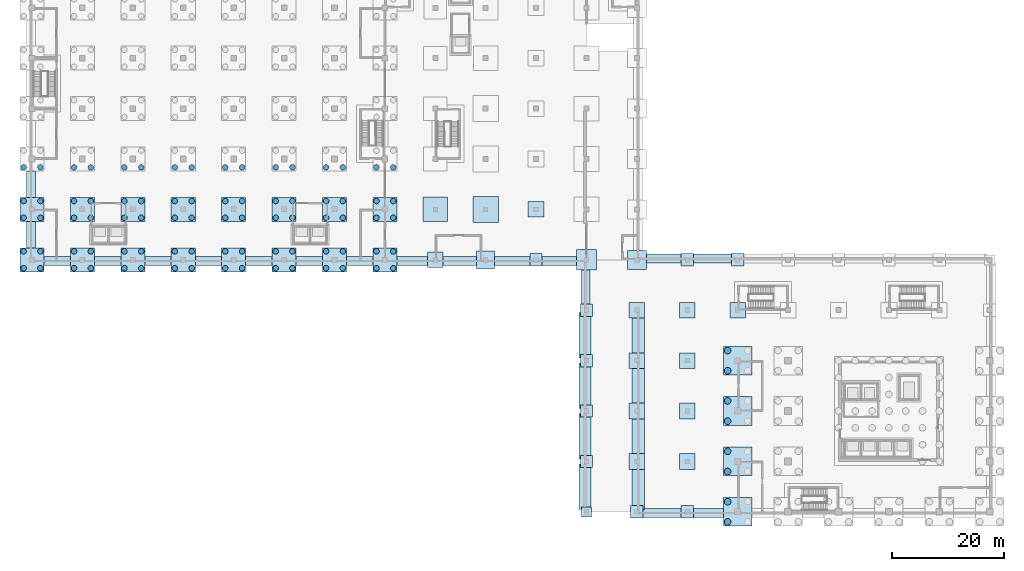
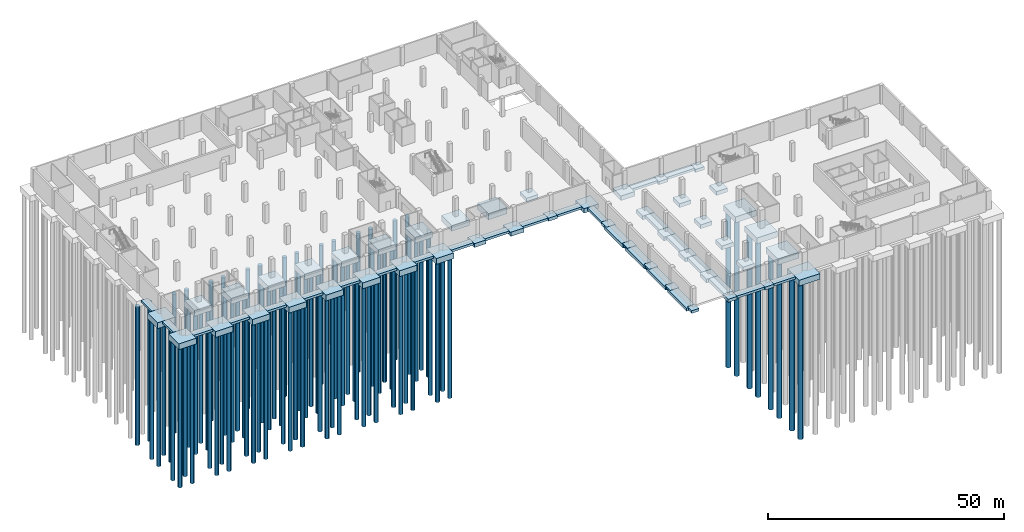
# One storey, part 1 of 17: 88 piles, 72 footings.
"""IFC4 building model written with IfcOpenShell, lengths in metres."""

from ifc_helpers import new_model, si_unit, direction, frame, origin, origin_2d, place, context, subcontext, project, spatial, polyline, rectangle, circle, outline, extrude, material, material_profile, profile_set, type_object, element, save


model = new_model("IFC4")

# Units and contexts
model_context = context("Model", 3, precision=1e-05, world=origin(), true_north=direction((0.0, 1.0)))
body_context = subcontext(model_context, "Body", "Model", "MODEL_VIEW")
ifc_project = project(units=[si_unit("LENGTHUNIT", "METRE"), si_unit("AREAUNIT", "SQUARE_METRE"), si_unit("VOLUMEUNIT", "CUBIC_METRE"), si_unit("PLANEANGLEUNIT", "RADIAN"), si_unit("MASSUNIT", "GRAM", prefix="KILO")], contexts=[model_context])

# Site, building, storey
site_placement = place(None, origin())
site = spatial("IfcSite", under=ifc_project, at=site_placement, CompositionType="ELEMENT")
building_placement = place(site_placement, origin())
building = spatial("IfcBuilding", under=site, at=building_placement, Name="Guidao Yard Department Store", CompositionType="ELEMENT")
storey_placement = place(building_placement, frame((0.0, 0.0, -9.89990234375)))
storey = spatial("IfcBuildingStorey", under=building, at=storey_placement, Name="B2", CompositionType="ELEMENT", Elevation=-9.89990234375)

# Piles
ifc_material_1 = material(Name="Concrete C40", Category="concrete")
ifc_material_profile_1 = material_profile(ifc_material_1, circle(Radius=0.5, at=origin_2d()), Name="Bored pile D1000")
ifc_profile_set_1 = profile_set([ifc_material_profile_1], Name="Concrete C40")
pile_type_1 = type_object("IfcPileType", Name="Bored pile D1000", PredefinedType="BORED", material=ifc_profile_set_1)
for number, where, z_axis, x_axis, name in (
    (1, (-1.5, 43.5, -2.0), (0.0, 0.0, -1.0), (1.0, 0.0, 0.0), "Bored pile 1/F-1"),
    (2, (1.5, 43.5, -2.0), (0.0, 0.0, -1.0), (1.0, 0.0, 0.0), "Bored pile 1/F-2"),
    (3, (-1.5, 46.5, -2.0), (0.0, 0.0, -1.0), (1.0, 0.0, 0.0), "Bored pile 1/F-3"),
    (4, (1.5, 46.5, -2.0), (0.0, 0.0, -1.0), (1.0, 0.0, 0.0), "Bored pile 1/F-4"),
    (5, (7.5, 43.5, -2.0), (0.0, 0.0, -1.0), (1.0, 0.0, 0.0), "Bored pile 2/F-1"),
    (6, (10.5, 43.5, -2.0), (0.0, 0.0, -1.0), (1.0, 0.0, 0.0), "Bored pile 2/F-2"),
    (7, (7.5, 46.5, -2.0), (0.0, 0.0, -1.0), (1.0, 0.0, 0.0), "Bored pile 2/F-3"),
    (8, (10.5, 46.5, -2.0), (0.0, 0.0, -1.0), (1.0, 0.0, 0.0), "Bored pile 2/F-4"),
    (9, (16.5, 43.5, -2.0), (0.0, 0.0, -1.0), (1.0, 0.0, 0.0), "Bored pile 3/F-1"),
    (10, (19.5, 43.5, -2.0), (0.0, 0.0, -1.0), (1.0, 0.0, 0.0), "Bored pile 3/F-2"),
    (11, (16.5, 46.5, -2.0), (0.0, 0.0, -1.0), (1.0, 0.0, 0.0), "Bored pile 3/F-3"),
    (12, (19.5, 46.5, -2.0), (0.0, 0.0, -1.0), (1.0, 0.0, 0.0), "Bored pile 3/F-4"),
    (13, (25.5, 43.5, -2.0), (0.0, 0.0, -1.0), (1.0, 0.0, 0.0), "Bored pile 4/F-1"),
    (14, (28.5, 43.5, -2.0), (0.0, 0.0, -1.0), (1.0, 0.0, 0.0), "Bored pile 4/F-2"),
    (15, (25.5, 46.5, -2.0), (0.0, 0.0, -1.0), (1.0, 0.0, 0.0), "Bored pile 4/F-3"),
    (16, (28.5, 46.5, -2.0), (0.0, 0.0, -1.0), (1.0, 0.0, 0.0), "Bored pile 4/F-4"),
    (17, (34.5, 43.5, -2.0), (0.0, 0.0, -1.0), (1.0, 0.0, 0.0), "Bored pile 5/F-1"),
    (18, (37.5, 43.5, -2.0), (0.0, 0.0, -1.0), (1.0, 0.0, 0.0), "Bored pile 5/F-2"),
    (19, (34.5, 46.5, -2.0), (0.0, 0.0, -1.0), (1.0, 0.0, 0.0), "Bored pile 5/F-3"),
    (20, (37.5, 46.5, -2.0), (0.0, 0.0, -1.0), (1.0, 0.0, 0.0), "Bored pile 5/F-4"),
    (21, (43.5, 43.5, -2.0), (0.0, 0.0, -1.0), (1.0, 0.0, 0.0), "Bored pile 6/F-1"),
    (22, (46.5, 43.5, -2.0), (0.0, 0.0, -1.0), (1.0, 0.0, 0.0), "Bored pile 6/F-2"),
    (23, (43.5, 46.5, -2.0), (0.0, 0.0, -1.0), (1.0, 0.0, 0.0), "Bored pile 6/F-3"),
    (24, (46.5, 46.5, -2.0), (0.0, 0.0, -1.0), (1.0, 0.0, 0.0), "Bored pile 6/F-4"),
    (25, (52.5, 43.5, -2.0), (0.0, 0.0, -1.0), (1.0, 0.0, 0.0), "Bored pile 7/F-1"),
    (26, (55.5, 43.5, -2.0), (0.0, 0.0, -1.0), (1.0, 0.0, 0.0), "Bored pile 7/F-2"),
    (27, (52.5, 46.5, -2.0), (0.0, 0.0, -1.0), (1.0, 0.0, 0.0), "Bored pile 7/F-3"),
    (28, (55.5, 46.5, -2.0), (0.0, 0.0, -1.0), (1.0, 0.0, 0.0), "Bored pile 7/F-4"),
    (29, (61.5, 43.5, -2.0), (0.0, 0.0, -1.0), (1.0, 0.0, 0.0), "Bored pile 8/F-1"),
    (30, (64.5, 43.5, -2.0), (0.0, 0.0, -1.0), (1.0, 0.0, 0.0), "Bored pile 8/F-2"),
    (31, (61.5, 46.5, -2.0), (0.0, 0.0, -1.0), (1.0, 0.0, 0.0), "Bored pile 8/F-3"),
    (32, (64.5, 46.5, -2.0), (0.0, 0.0, -1.0), (1.0, 0.0, 0.0), "Bored pile 8/F-4"),
    (33, (-1.5, 52.5, -2.0), (0.0, 0.0, -1.0), (1.0, 0.0, 0.0), "Bored pile 1/G-1"),
    (34, (1.5, 52.5, -2.0), (0.0, 0.0, -1.0), (1.0, 0.0, 0.0), "Bored pile 1/G-2"),
    (35, (-1.5, 55.5, -2.0), (0.0, 0.0, -1.0), (1.0, 0.0, 0.0), "Bored pile 1/G-3"),
    (36, (1.5, 55.5, -2.0), (0.0, 0.0, -1.0), (1.0, 0.0, 0.0), "Bored pile 1/G-4"),
    (37, (7.5, 52.5, -2.0), (0.0, 0.0, -1.0), (1.0, 0.0, 0.0), "Bored pile 2/G-1"),
    (38, (10.5, 52.5, -2.0), (0.0, 0.0, -1.0), (1.0, 0.0, 0.0), "Bored pile 2/G-2"),
    (39, (7.5, 55.5, -2.0), (0.0, 0.0, -1.0), (1.0, 0.0, 0.0), "Bored pile 2/G-3"),
    (40, (10.5, 55.5, -2.0), (0.0, 0.0, -1.0), (1.0, 0.0, 0.0), "Bored pile 2/G-4"),
    (41, (16.5, 52.5, -2.0), (0.0, 0.0, -1.0), (1.0, 0.0, 0.0), "Bored pile 3/G-1"),
    (42, (19.5, 52.5, -2.0), (0.0, 0.0, -1.0), (1.0, 0.0, 0.0), "Bored pile 3/G-2"),
    (43, (16.5, 55.5, -2.0), (0.0, 0.0, -1.0), (1.0, 0.0, 0.0), "Bored pile 3/G-3"),
    (44, (19.5, 55.5, -2.0), (0.0, 0.0, -1.0), (1.0, 0.0, 0.0), "Bored pile 3/G-4"),
    (45, (25.5, 52.5, -2.0), (0.0, 0.0, -1.0), (1.0, 0.0, 0.0), "Bored pile 4/G-1"),
    (46, (28.5, 52.5, -2.0), (0.0, 0.0, -1.0), (1.0, 0.0, 0.0), "Bored pile 4/G-2"),
    (47, (25.5, 55.5, -2.0), (0.0, 0.0, -1.0), (1.0, 0.0, 0.0), "Bored pile 4/G-3"),
    (48, (28.5, 55.5, -2.0), (0.0, 0.0, -1.0), (1.0, 0.0, 0.0), "Bored pile 4/G-4"),
    (49, (34.5, 52.5, -2.0), (0.0, 0.0, -1.0), (1.0, 0.0, 0.0), "Bored pile 5/G-1"),
    (50, (37.5, 52.5, -2.0), (0.0, 0.0, -1.0), (1.0, 0.0, 0.0), "Bored pile 5/G-2"),
    (51, (34.5, 55.5, -2.0), (0.0, 0.0, -1.0), (1.0, 0.0, 0.0), "Bored pile 5/G-3"),
    (52, (37.5, 55.5, -2.0), (0.0, 0.0, -1.0), (1.0, 0.0, 0.0), "Bored pile 5/G-4"),
    (53, (43.5, 52.5, -2.0), (0.0, 0.0, -1.0), (1.0, 0.0, 0.0), "Bored pile 6/G-1"),
    (54, (46.5, 52.5, -2.0), (0.0, 0.0, -1.0), (1.0, 0.0, 0.0), "Bored pile 6/G-2"),
    (55, (43.5, 55.5, -2.0), (0.0, 0.0, -1.0), (1.0, 0.0, 0.0), "Bored pile 6/G-3"),
    (56, (46.5, 55.5, -2.0), (0.0, 0.0, -1.0), (1.0, 0.0, 0.0), "Bored pile 6/G-4"),
    (57, (52.5, 52.5, -2.0), (0.0, 0.0, -1.0), (1.0, 0.0, 0.0), "Bored pile 7/G-1"),
    (58, (55.5, 52.5, -2.0), (0.0, 0.0, -1.0), (1.0, 0.0, 0.0), "Bored pile 7/G-2"),
    (59, (52.5, 55.5, -2.0), (0.0, 0.0, -1.0), (1.0, 0.0, 0.0), "Bored pile 7/G-3"),
    (60, (55.5, 55.5, -2.0), (0.0, 0.0, -1.0), (1.0, 0.0, 0.0), "Bored pile 7/G-4"),
    (61, (61.5, 52.5, -2.0), (0.0, 0.0, -1.0), (1.0, 0.0, 0.0), "Bored pile 8/G-1"),
    (62, (64.5, 52.5, -2.0), (0.0, 0.0, -1.0), (1.0, 0.0, 0.0), "Bored pile 8/G-2"),
    (63, (61.5, 55.5, -2.0), (0.0, 0.0, -1.0), (1.0, 0.0, 0.0), "Bored pile 8/G-3"),
    (64, (64.5, 55.5, -2.0), (0.0, 0.0, -1.0), (1.0, 0.0, 0.0), "Bored pile 8/G-4"),
    (65, (-1.5, 61.5, -2.0), (0.0, 0.0, -1.0), (1.0, 0.0, 0.0), "Bored pile 1/H-1"),
    (66, (1.5, 61.5, -2.0), (0.0, 0.0, -1.0), (1.0, 0.0, 0.0), "Bored pile 1/H-2"),
    (67, (7.5, 61.5, -2.0), (0.0, 0.0, -1.0), (1.0, 0.0, 0.0), "Bored pile 2/H-1"),
    (68, (10.5, 61.5, -2.0), (0.0, 0.0, -1.0), (1.0, 0.0, 0.0), "Bored pile 2/H-2"),
    (69, (16.5, 61.5, -2.0), (0.0, 0.0, -1.0), (1.0, 0.0, 0.0), "Bored pile 3/H-1"),
    (70, (19.5, 61.5, -2.0), (0.0, 0.0, -1.0), (1.0, 0.0, 0.0), "Bored pile 3/H-2"),
    (71, (25.5, 61.5, -2.0), (0.0, 0.0, -1.0), (1.0, 0.0, 0.0), "Bored pile 4/H-1"),
    (72, (28.5, 61.5, -2.0), (0.0, 0.0, -1.0), (1.0, 0.0, 0.0), "Bored pile 4/H-2"),
    (73, (34.5, 61.5, -2.0), (0.0, 0.0, -1.0), (1.0, 0.0, 0.0), "Bored pile 5/H-1"),
    (74, (37.5, 61.5, -2.0), (0.0, 0.0, -1.0), (1.0, 0.0, 0.0), "Bored pile 5/H-2"),
    (75, (43.5, 61.5, -2.0), (0.0, 0.0, -1.0), (1.0, 0.0, 0.0), "Bored pile 6/H-1"),
    (76, (46.5, 61.5, -2.0), (0.0, 0.0, -1.0), (1.0, 0.0, 0.0), "Bored pile 6/H-2"),
    (77, (52.5, 61.5, -2.0), (0.0, 0.0, -1.0), (1.0, 0.0, 0.0), "Bored pile 7/H-1"),
    (78, (55.5, 61.5, -2.0), (0.0, 0.0, -1.0), (1.0, 0.0, 0.0), "Bored pile 7/H-2"),
    (79, (61.5, 61.5, -2.0), (0.0, 0.0, -1.0), (1.0, 0.0, 0.0), "Bored pile 8/H-1"),
    (80, (64.5, 61.5, -2.0), (0.0, 0.0, -1.0), (1.0, 0.0, 0.0), "Bored pile 8/H-2"),
):
    element("IfcPile", number, at=place(storey_placement, frame(where, z_axis=z_axis, x_axis=x_axis)), inside=storey, type_object=pile_type_1, Name=name, PredefinedType="BORED", context=body_context, shape_type="SweptSolid", body=[
        extrude(circle(Radius=0.5, at=origin_2d()), origin(), (0.0, 0.0, 1.0), 36.0),
    ])
ifc_material_2 = material(Name="Concrete C40", Category="concrete")
ifc_material_profile_2 = material_profile(ifc_material_2, circle(Radius=0.60009765625, at=origin_2d()), Name="Bored pile D1200")
ifc_profile_set_2 = profile_set([ifc_material_profile_2], Name="Concrete C40")
pile_type_2 = type_object("IfcPileType", Name="Bored pile D1200", PredefinedType="BORED", material=ifc_profile_set_2)
for number, where, z_axis, x_axis, name in (
    (81, (124.199951171875, -1.800048828125, -2.0), (0.0, 0.0, -1.0), (1.0, 0.0, 0.0), "Bored pile 15/A-1"),
    (82, (124.199951171875, 1.800048828125, -2.0), (0.0, 0.0, -1.0), (1.0, 0.0, 0.0), "Bored pile 15/A-3"),
    (83, (124.199951171875, 7.199951171875, -2.0), (0.0, 0.0, -1.0), (1.0, 0.0, 0.0), "Bored pile 15/B-1"),
    (84, (124.199951171875, 10.800048828125, -2.0), (0.0, 0.0, -1.0), (1.0, 0.0, 0.0), "Bored pile 15/B-3"),
    (85, (124.199951171875, 16.199951171875, -2.0), (0.0, 0.0, -1.0), (1.0, 0.0, 0.0), "Bored pile 15/C-1"),
    (86, (124.199951171875, 19.800048828125, -2.0), (0.0, 0.0, -1.0), (1.0, 0.0, 0.0), "Bored pile 15/C-3"),
    (87, (124.199951171875, 25.199951171875, -2.0), (0.0, 0.0, -1.0), (1.0, 0.0, 0.0), "Bored pile 15/D-1"),
    (88, (124.199951171875, 28.800048828125, -2.0), (0.0, 0.0, -1.0), (1.0, 0.0, 0.0), "Bored pile 15/D-3"),
):
    element("IfcPile", number, at=place(storey_placement, frame(where, z_axis=z_axis, x_axis=x_axis)), inside=storey, type_object=pile_type_2, Name=name, PredefinedType="BORED", context=body_context, shape_type="SweptSolid", body=[
        extrude(circle(Radius=0.60009765625, at=origin_2d()), origin(), (0.0, 0.0, 1.0), 40.0),
    ])

# Footings
ifc_material_3 = material(Name="Concrete C40", Category="concrete")
footing_type_1 = type_object("IfcFootingType", Name="Pad footing 1800x1800x700 C40", PredefinedType="PAD_FOOTING", material=ifc_material_3)
footing_1_placement = place(storey_placement, frame((99.0, 0.0, -1.2001953125), z_axis=(0.0, 0.0, 1.0), x_axis=(1.0, 0.0, 0.0)))
element("IfcFooting", 89, at=footing_1_placement, inside=storey, type_object=footing_type_1, Name="Pad footing 12/A", PredefinedType="PAD_FOOTING", context=body_context, shape_type="SweptSolid", body=[
    extrude(rectangle(XDim=1.800048828125, YDim=1.800048828125, at=origin_2d()), origin(), (0.0, 0.0, 1.0), 0.699951171875),
])
ifc_material_4 = material(Name="Concrete C40", Category="concrete")
footing_type_2 = type_object("IfcFootingType", Name="Pad footing 2200x2200x800 C40", PredefinedType="PAD_FOOTING", material=ifc_material_4)
for number, where, z_axis, x_axis, name in (
    (90, (108.0, 0.0, -1.30029296875), (0.0, 0.0, 1.0), (1.0, 0.0, 0.0), "Pad footing 13/A"),
    (91, (117.0, 0.0, -1.30029296875), (0.0, 0.0, 1.0), (1.0, 0.0, 0.0), "Pad footing 14/A"),
    (92, (99.0, 9.0, -1.30029296875), (0.0, 0.0, 1.0), (1.0, 0.0, 0.0), "Pad footing 12/B"),
    (93, (99.0, 18.0, -1.30029296875), (0.0, 0.0, 1.0), (1.0, 0.0, 0.0), "Pad footing 12/C"),
    (94, (99.0, 27.0, -1.30029296875), (0.0, 0.0, 1.0), (1.0, 0.0, 0.0), "Pad footing 12/D"),
    (95, (99.0, 36.0, -1.30029296875), (0.0, 0.0, 1.0), (1.0, 0.0, 0.0), "Pad footing 12/E"),
    (96, (90.0, 45.0, -1.30029296875), (0.0, 0.0, 1.0), (1.0, 0.0, 0.0), "Pad footing 11/F"),
    (97, (117.0, 45.0, -1.30029296875), (0.0, 0.0, 1.0), (1.0, 0.0, 0.0), "Pad footing 14/F"),
    (98, (126.0, 45.0, -1.30029296875), (0.0, 0.0, 1.0), (1.0, 0.0, 0.0), "Pad footing 15/F"),
):
    element("IfcFooting", number, at=place(storey_placement, frame(where, z_axis=z_axis, x_axis=x_axis)), inside=storey, type_object=footing_type_2, Name=name, PredefinedType="PAD_FOOTING", context=body_context, shape_type="SweptSolid", body=[
        extrude(rectangle(XDim=2.199951171875, YDim=2.199951171875, at=origin_2d()), origin(), (0.0, 0.0, 1.0), 0.800048828125),
    ])
ifc_material_5 = material(Name="Concrete C40", Category="concrete")
footing_type_3 = type_object("IfcFootingType", Name="Pad footing 2800x2800x1000 C40", PredefinedType="PAD_FOOTING", material=ifc_material_5)
for number, where, z_axis, x_axis, name in (
    (99, (108.0, 9.0, -1.5), (0.0, 0.0, 1.0), (1.0, 0.0, 0.0), "Pad footing 13/B"),
    (100, (117.0, 9.0, -1.5), (0.0, 0.0, 1.0), (1.0, 0.0, 0.0), "Pad footing 14/B"),
    (101, (108.0, 18.0, -1.5), (0.0, 0.0, 1.0), (1.0, 0.0, 0.0), "Pad footing 13/C"),
    (102, (117.0, 18.0, -1.5), (0.0, 0.0, 1.0), (1.0, 0.0, 0.0), "Pad footing 14/C"),
    (103, (108.0, 27.0, -1.5), (0.0, 0.0, 1.0), (1.0, 0.0, 0.0), "Pad footing 13/D"),
    (104, (117.0, 27.0, -1.5), (0.0, 0.0, 1.0), (1.0, 0.0, 0.0), "Pad footing 14/D"),
    (105, (108.0, 36.0, -1.5), (0.0, 0.0, 1.0), (1.0, 0.0, 0.0), "Pad footing 13/E"),
    (106, (117.0, 36.0, -1.5), (0.0, 0.0, 1.0), (1.0, 0.0, 0.0), "Pad footing 14/E"),
    (107, (126.0, 36.0, -1.5), (0.0, 0.0, 1.0), (1.0, 0.0, 0.0), "Pad footing 15/E"),
    (108, (72.0, 45.0, -1.5), (0.0, 0.0, 1.0), (1.0, 0.0, 0.0), "Pad footing 9/F"),
    (109, (90.0, 54.0, -1.5), (0.0, 0.0, 1.0), (1.0, 0.0, 0.0), "Pad footing 11/G"),
):
    element("IfcFooting", number, at=place(storey_placement, frame(where, z_axis=z_axis, x_axis=x_axis)), inside=storey, type_object=footing_type_3, Name=name, PredefinedType="PAD_FOOTING", context=body_context, shape_type="SweptSolid", body=[
        extrude(rectangle(XDim=2.800048828125, YDim=2.800048828125, at=origin_2d()), origin(), (0.0, 0.0, 1.0), 1.0),
    ])
ifc_material_6 = material(Name="Concrete C40", Category="concrete")
footing_type_4 = type_object("IfcFootingType", Name="Pad footing 3200x3200x1100 C40", PredefinedType="PAD_FOOTING", material=ifc_material_6)
footing_2_placement = place(storey_placement, frame((81.0, 45.0, -1.60009765625), z_axis=(0.0, 0.0, 1.0), x_axis=(1.0, 0.0, 0.0)))
element("IfcFooting", 110, at=footing_2_placement, inside=storey, type_object=footing_type_4, Name="Pad footing 10/F", PredefinedType="PAD_FOOTING", context=body_context, shape_type="SweptSolid", body=[
    extrude(rectangle(XDim=3.199951171875, YDim=3.199951171875, at=origin_2d()), origin(), (0.0, 0.0, 1.0), 1.10009765625),
])
ifc_material_7 = material(Name="Concrete C40", Category="concrete")
footing_type_5 = type_object("IfcFootingType", Name="Pad footing 3400x3400x1200 C40", PredefinedType="PAD_FOOTING", material=ifc_material_7)
footing_3_placement = place(storey_placement, frame((108.0, 45.0, -1.7001953125), z_axis=(0.0, 0.0, 1.0), x_axis=(1.0, 0.0, 0.0)))
element("IfcFooting", 111, at=footing_3_placement, inside=storey, type_object=footing_type_5, Name="Pad footing 13/F", PredefinedType="PAD_FOOTING", context=body_context, shape_type="SweptSolid", body=[
    extrude(rectangle(XDim=3.39990234375, YDim=3.39990234375, at=origin_2d()), origin(), (0.0, 0.0, 1.0), 1.199951171875),
])
ifc_material_8 = material(Name="Concrete C40", Category="concrete")
footing_type_6 = type_object("IfcFootingType", Name="Pad footing 3600x3600x1200 C40", PredefinedType="PAD_FOOTING", material=ifc_material_8)
footing_4_placement = place(storey_placement, frame((99.0, 45.0, -1.7001953125), z_axis=(0.0, 0.0, 1.0), x_axis=(1.0, 0.0, 0.0)))
element("IfcFooting", 112, at=footing_4_placement, inside=storey, type_object=footing_type_6, Name="Pad footing 12/F", PredefinedType="PAD_FOOTING", context=body_context, shape_type="SweptSolid", body=[
    extrude(rectangle(XDim=3.60009765625, YDim=3.60009765625, at=origin_2d()), origin(), (0.0, 0.0, 1.0), 1.199951171875),
])
ifc_material_9 = material(Name="Concrete C40", Category="concrete")
footing_type_7 = type_object("IfcFootingType", Name="Pad footing 4400x4400x1500 C40", PredefinedType="PAD_FOOTING", material=ifc_material_9)
footing_5_placement = place(storey_placement, frame((72.0, 54.0, -2.0), z_axis=(0.0, 0.0, 1.0), x_axis=(1.0, 0.0, 0.0)))
element("IfcFooting", 113, at=footing_5_placement, inside=storey, type_object=footing_type_7, Name="Pad footing 9/G", PredefinedType="PAD_FOOTING", context=body_context, shape_type="SweptSolid", body=[
    extrude(rectangle(XDim=4.39990234375, YDim=4.39990234375, at=origin_2d()), origin(), (0.0, 0.0, 1.0), 1.5),
])
ifc_material_10 = material(Name="Concrete C40", Category="concrete")
footing_type_8 = type_object("IfcFootingType", Name="Pad footing 4600x4600x1600 C40", PredefinedType="PAD_FOOTING", material=ifc_material_10)
footing_6_placement = place(storey_placement, frame((81.0, 54.0, -2.10009765625), z_axis=(0.0, 0.0, 1.0), x_axis=(1.0, 0.0, 0.0)))
element("IfcFooting", 114, at=footing_6_placement, inside=storey, type_object=footing_type_8, Name="Pad footing 10/G", PredefinedType="PAD_FOOTING", context=body_context, shape_type="SweptSolid", body=[
    extrude(rectangle(XDim=4.60009765625, YDim=4.60009765625, at=origin_2d()), origin(), (0.0, 0.0, 1.0), 1.60009765625),
])
ifc_material_11 = material(Name="Concrete C40", Category="concrete")
footing_type_9 = type_object("IfcFootingType", Name="Pile cap 4300x4300x1500 C40", PredefinedType="PILE_CAP", material=ifc_material_11)
for number, where, z_axis, x_axis, name in (
    (115, (0.0, 45.0, -2.0), (0.0, 0.0, 1.0), (1.0, 0.0, 0.0), "Pile cap 1/F"),
    (116, (9.0, 45.0, -2.0), (0.0, 0.0, 1.0), (1.0, 0.0, 0.0), "Pile cap 2/F"),
    (117, (18.0, 45.0, -2.0), (0.0, 0.0, 1.0), (1.0, 0.0, 0.0), "Pile cap 3/F"),
    (118, (27.0, 45.0, -2.0), (0.0, 0.0, 1.0), (1.0, 0.0, 0.0), "Pile cap 4/F"),
    (119, (36.0, 45.0, -2.0), (0.0, 0.0, 1.0), (1.0, 0.0, 0.0), "Pile cap 5/F"),
    (120, (45.0, 45.0, -2.0), (0.0, 0.0, 1.0), (1.0, 0.0, 0.0), "Pile cap 6/F"),
    (121, (54.0, 45.0, -2.0), (0.0, 0.0, 1.0), (1.0, 0.0, 0.0), "Pile cap 7/F"),
    (122, (63.0, 45.0, -2.0), (0.0, 0.0, 1.0), (1.0, 0.0, 0.0), "Pile cap 8/F"),
    (123, (0.0, 54.0, -2.0), (0.0, 0.0, 1.0), (1.0, 0.0, 0.0), "Pile cap 1/G"),
    (124, (9.0, 54.0, -2.0), (0.0, 0.0, 1.0), (1.0, 0.0, 0.0), "Pile cap 2/G"),
    (125, (18.0, 54.0, -2.0), (0.0, 0.0, 1.0), (1.0, 0.0, 0.0), "Pile cap 3/G"),
    (126, (27.0, 54.0, -2.0), (0.0, 0.0, 1.0), (1.0, 0.0, 0.0), "Pile cap 4/G"),
    (127, (36.0, 54.0, -2.0), (0.0, 0.0, 1.0), (1.0, 0.0, 0.0), "Pile cap 5/G"),
    (128, (45.0, 54.0, -2.0), (0.0, 0.0, 1.0), (1.0, 0.0, 0.0), "Pile cap 6/G"),
    (129, (54.0, 54.0, -2.0), (0.0, 0.0, 1.0), (1.0, 0.0, 0.0), "Pile cap 7/G"),
    (130, (63.0, 54.0, -2.0), (0.0, 0.0, 1.0), (1.0, 0.0, 0.0), "Pile cap 8/G"),
):
    element("IfcFooting", number, at=place(storey_placement, frame(where, z_axis=z_axis, x_axis=x_axis)), inside=storey, type_object=footing_type_9, Name=name, PredefinedType="PILE_CAP", context=body_context, shape_type="SweptSolid", body=[
        extrude(rectangle(XDim=4.300048828125, YDim=4.300048828125, at=origin_2d()), origin(), (0.0, 0.0, 1.0), 1.5),
    ])
ifc_material_12 = material(Name="Concrete C40", Category="concrete")
footing_type_10 = type_object("IfcFootingType", Name="Pile cap 5100x5100x1500 C40", PredefinedType="PILE_CAP", material=ifc_material_12)
for number, where, z_axis, x_axis, name in (
    (131, (126.0, 0.0, -2.0), (0.0, 0.0, 1.0), (1.0, 0.0, 0.0), "Pile cap 15/A"),
    (132, (126.0, 9.0, -2.0), (0.0, 0.0, 1.0), (1.0, 0.0, 0.0), "Pile cap 15/B"),
    (133, (126.0, 18.0, -2.0), (0.0, 0.0, 1.0), (1.0, 0.0, 0.0), "Pile cap 15/C"),
    (134, (126.0, 27.0, -2.0), (0.0, 0.0, 1.0), (1.0, 0.0, 0.0), "Pile cap 15/D"),
):
    element("IfcFooting", number, at=place(storey_placement, frame(where, z_axis=z_axis, x_axis=x_axis)), inside=storey, type_object=footing_type_10, Name=name, PredefinedType="PILE_CAP", context=body_context, shape_type="SweptSolid", body=[
        extrude(rectangle(XDim=5.10009765625, YDim=5.10009765625, at=origin_2d()), origin(), (0.0, 0.0, 1.0), 1.5),
    ])
ifc_material_13 = material(Name="Concrete C40", Category="concrete")
footing_type_11 = type_object("IfcFootingType", Name="Strip footing 1600x600 C40", PredefinedType="STRIP_FOOTING", material=ifc_material_13)
footing_7_placement = place(storey_placement, frame((0.0, 0.0, -1.10009765625)))
element("IfcFooting", 135, at=footing_7_placement, inside=storey, type_object=footing_type_11, Name="Strip footing SF01", PredefinedType="STRIP_FOOTING", context=body_context, shape_type="SweptSolid", body=[
    extrude(outline(polyline([(109.10009765625, -1.0), (115.89990234375, -1.0), (115.89990234375, 0.60009765625), (109.35498046875, 0.60009765625), (109.35498046875, 0.445068359375), (109.10009765625, 0.445068359375), (109.10009765625, -1.0)])), origin(), (0.0, 0.0, 1.0), 0.60009765625),
])
footing_8_placement = place(storey_placement, frame((0.0, 0.0, -1.10009765625)))
element("IfcFooting", 136, at=footing_8_placement, inside=storey, type_object=footing_type_11, Name="Strip footing SF02", PredefinedType="STRIP_FOOTING", context=body_context, shape_type="SweptSolid", body=[
    extrude(outline(polyline([(118.10009765625, -1.0), (123.449951171875, -1.0), (123.449951171875, 0.60009765625), (118.10009765625, 0.60009765625), (118.10009765625, -1.0)])), origin(), (0.0, 0.0, 1.0), 0.60009765625),
])
footing_9_placement = place(storey_placement, frame((0.0, 0.0, -1.10009765625)))
element("IfcFooting", 137, at=footing_9_placement, inside=storey, type_object=footing_type_11, Name="Strip footing SF23", PredefinedType="STRIP_FOOTING", context=body_context, shape_type="SweptSolid", body=[
    extrude(outline(polyline([(99.60009765625, 37.10009765625), (99.60009765625, 43.199951171875), (98.0, 43.199951171875), (98.0, 37.10009765625), (99.60009765625, 37.10009765625)])), origin(), (0.0, 0.0, 1.0), 0.60009765625),
])
footing_10_placement = place(storey_placement, frame((0.0, 0.0, -1.10009765625)))
element("IfcFooting", 138, at=footing_10_placement, inside=storey, type_object=footing_type_11, Name="Strip footing SF27", PredefinedType="STRIP_FOOTING", context=body_context, shape_type="SweptSolid", body=[
    extrude(outline(polyline([(6.85009765625, 45.60009765625), (2.14990234375, 45.60009765625), (2.14990234375, 44.0), (6.85009765625, 44.0), (6.85009765625, 45.60009765625)])), origin(), (0.0, 0.0, 1.0), 0.60009765625),
])
footing_11_placement = place(storey_placement, frame((0.0, 0.0, -1.10009765625)))
element("IfcFooting", 139, at=footing_11_placement, inside=storey, type_object=footing_type_11, Name="Strip footing SF28", PredefinedType="STRIP_FOOTING", context=body_context, shape_type="SweptSolid", body=[
    extrude(outline(polyline([(15.85009765625, 45.60009765625), (11.14990234375, 45.60009765625), (11.14990234375, 44.0), (15.85009765625, 44.0), (15.85009765625, 45.60009765625)])), origin(), (0.0, 0.0, 1.0), 0.60009765625),
])
footing_12_placement = place(storey_placement, frame((0.0, 0.0, -1.10009765625)))
element("IfcFooting", 140, at=footing_12_placement, inside=storey, type_object=footing_type_11, Name="Strip footing SF29", PredefinedType="STRIP_FOOTING", context=body_context, shape_type="SweptSolid", body=[
    extrude(outline(polyline([(20.14990234375, 44.0), (24.85009765625, 44.0), (24.85009765625, 45.60009765625), (20.14990234375, 45.60009765625), (20.14990234375, 44.0)])), origin(), (0.0, 0.0, 1.0), 0.60009765625),
])
footing_13_placement = place(storey_placement, frame((0.0, 0.0, -1.10009765625)))
element("IfcFooting", 141, at=footing_13_placement, inside=storey, type_object=footing_type_11, Name="Strip footing SF30", PredefinedType="STRIP_FOOTING", context=body_context, shape_type="SweptSolid", body=[
    extrude(outline(polyline([(29.14990234375, 44.0), (33.85009765625, 44.0), (33.85009765625, 45.60009765625), (29.14990234375, 45.60009765625), (29.14990234375, 44.0)])), origin(), (0.0, 0.0, 1.0), 0.60009765625),
])
footing_14_placement = place(storey_placement, frame((0.0, 0.0, -1.10009765625)))
element("IfcFooting", 142, at=footing_14_placement, inside=storey, type_object=footing_type_11, Name="Strip footing SF31", PredefinedType="STRIP_FOOTING", context=body_context, shape_type="SweptSolid", body=[
    extrude(outline(polyline([(38.14990234375, 44.0), (42.85009765625, 44.0), (42.85009765625, 45.60009765625), (38.14990234375, 45.60009765625), (38.14990234375, 44.0)])), origin(), (0.0, 0.0, 1.0), 0.60009765625),
])
footing_15_placement = place(storey_placement, frame((0.0, 0.0, -1.10009765625)))
element("IfcFooting", 143, at=footing_15_placement, inside=storey, type_object=footing_type_11, Name="Strip footing SF32", PredefinedType="STRIP_FOOTING", context=body_context, shape_type="SweptSolid", body=[
    extrude(outline(polyline([(47.14990234375, 44.0), (51.85009765625, 44.0), (51.85009765625, 45.60009765625), (47.14990234375, 45.60009765625), (47.14990234375, 44.0)])), origin(), (0.0, 0.0, 1.0), 0.60009765625),
])
footing_16_placement = place(storey_placement, frame((0.0, 0.0, -1.10009765625)))
element("IfcFooting", 144, at=footing_16_placement, inside=storey, type_object=footing_type_11, Name="Strip footing SF33", PredefinedType="STRIP_FOOTING", context=body_context, shape_type="SweptSolid", body=[
    extrude(outline(polyline([(56.14990234375, 44.0), (60.85009765625, 44.0), (60.85009765625, 45.60009765625), (56.14990234375, 45.60009765625), (56.14990234375, 44.0)])), origin(), (0.0, 0.0, 1.0), 0.60009765625),
])
footing_17_placement = place(storey_placement, frame((0.0, 0.0, -1.10009765625)))
element("IfcFooting", 145, at=footing_17_placement, inside=storey, type_object=footing_type_11, Name="Strip footing SF34", PredefinedType="STRIP_FOOTING", context=body_context, shape_type="SweptSolid", body=[
    extrude(outline(polyline([(65.14990234375, 44.0), (70.60009765625, 44.0), (70.60009765625, 45.60009765625), (65.14990234375, 45.60009765625), (65.14990234375, 44.0)])), origin(), (0.0, 0.0, 1.0), 0.60009765625),
])
footing_18_placement = place(storey_placement, frame((0.0, 0.0, -1.10009765625)))
element("IfcFooting", 146, at=footing_18_placement, inside=storey, type_object=footing_type_11, Name="Strip footing SF35", PredefinedType="STRIP_FOOTING", context=body_context, shape_type="SweptSolid", body=[
    extrude(outline(polyline([(79.39990234375, 45.60009765625), (73.39990234375, 45.60009765625), (73.39990234375, 44.0), (79.39990234375, 44.0), (79.39990234375, 45.60009765625)])), origin(), (0.0, 0.0, 1.0), 0.60009765625),
])
footing_19_placement = place(storey_placement, frame((0.0, 0.0, -1.10009765625)))
element("IfcFooting", 147, at=footing_19_placement, inside=storey, type_object=footing_type_11, Name="Strip footing SF36", PredefinedType="STRIP_FOOTING", context=body_context, shape_type="SweptSolid", body=[
    extrude(outline(polyline([(82.60009765625, 44.0), (88.89990234375, 44.0), (88.89990234375, 45.60009765625), (82.60009765625, 45.60009765625), (82.60009765625, 44.0)])), origin(), (0.0, 0.0, 1.0), 0.60009765625),
])
footing_20_placement = place(storey_placement, frame((0.0, 0.0, -1.10009765625)))
element("IfcFooting", 148, at=footing_20_placement, inside=storey, type_object=footing_type_11, Name="Strip footing SF37", PredefinedType="STRIP_FOOTING", context=body_context, shape_type="SweptSolid", body=[
    extrude(outline(polyline([(97.199951171875, 45.60009765625), (91.10009765625, 45.60009765625), (91.10009765625, 44.0), (97.199951171875, 44.0), (97.199951171875, 45.60009765625)])), origin(), (0.0, 0.0, 1.0), 0.60009765625),
])
footing_21_placement = place(storey_placement, frame((0.0, 0.0, -1.10009765625)))
element("IfcFooting", 149, at=footing_21_placement, inside=storey, type_object=footing_type_11, Name="Strip footing SF38", PredefinedType="STRIP_FOOTING", context=body_context, shape_type="SweptSolid", body=[
    extrude(outline(polyline([(115.89990234375, 46.0), (109.699951171875, 46.0), (109.699951171875, 44.39990234375), (115.89990234375, 44.39990234375), (115.89990234375, 46.0)])), origin(), (0.0, 0.0, 1.0), 0.60009765625),
])
footing_22_placement = place(storey_placement, frame((0.0, 0.0, -1.10009765625)))
element("IfcFooting", 150, at=footing_22_placement, inside=storey, type_object=footing_type_11, Name="Strip footing SF39", PredefinedType="STRIP_FOOTING", context=body_context, shape_type="SweptSolid", body=[
    extrude(outline(polyline([(118.10009765625, 44.39990234375), (124.89990234375, 44.39990234375), (124.89990234375, 46.0), (118.10009765625, 46.0), (118.10009765625, 44.39990234375)])), origin(), (0.0, 0.0, 1.0), 0.60009765625),
])
footing_23_placement = place(storey_placement, frame((0.0, 0.0, -1.10009765625)))
element("IfcFooting", 151, at=footing_23_placement, inside=storey, type_object=footing_type_11, Name="Strip footing SF46", PredefinedType="STRIP_FOOTING", context=body_context, shape_type="SweptSolid", body=[
    extrude(outline(polyline([(0.60009765625, 47.14990234375), (0.60009765625, 51.85009765625), (-1.0, 51.85009765625), (-1.0, 47.14990234375), (0.60009765625, 47.14990234375)])), origin(), (0.0, 0.0, 1.0), 0.60009765625),
])
footing_24_placement = place(storey_placement, frame((0.0, 0.0, -1.10009765625)))
element("IfcFooting", 152, at=footing_24_placement, inside=storey, type_object=footing_type_11, Name="Strip footing SF48", PredefinedType="STRIP_FOOTING", context=body_context, shape_type="SweptSolid", body=[
    extrude(outline(polyline([(0.60009765625, 56.14990234375), (0.60009765625, 60.85009765625), (-1.0, 60.85009765625), (-1.0, 56.14990234375), (0.60009765625, 56.14990234375)])), origin(), (0.0, 0.0, 1.0), 0.60009765625),
])
ifc_material_14 = material(Name="Concrete C40", Category="concrete")
footing_type_12 = type_object("IfcFootingType", Name="Strip footing 2200x800 C40", PredefinedType="STRIP_FOOTING", material=ifc_material_14)
footing_25_placement = place(storey_placement, frame((0.0, 0.0, -1.300048828125)))
element("IfcFooting", 153, at=footing_25_placement, inside=storey, type_object=footing_type_12, Name="Strip footing SF08", PredefinedType="STRIP_FOOTING", context=body_context, shape_type="SweptSolid", body=[
    extrude(outline(polyline([(99.85009765625, 0.89990234375), (99.85009765625, 7.89990234375), (97.89990234375, 7.89990234375), (97.89990234375, 8.550048828125), (97.64990234375, 8.550048828125), (97.64990234375, 0.449951171875), (98.10009765625, 0.449951171875), (98.10009765625, 0.89990234375), (99.85009765625, 0.89990234375)])), origin(), (0.0, 0.0, 1.0), 0.800048828125),
])
footing_26_placement = place(storey_placement, frame((0.0, 0.0, -1.300048828125)))
element("IfcFooting", 154, at=footing_26_placement, inside=storey, type_object=footing_type_12, Name="Strip footing SF09", PredefinedType="STRIP_FOOTING", context=body_context, shape_type="SweptSolid", body=[
    extrude(outline(polyline([(109.35009765625, 0.449951171875), (109.35009765625, 7.60009765625), (107.14990234375, 7.60009765625), (107.14990234375, 1.10009765625), (109.10009765625, 1.10009765625), (109.10009765625, 0.449951171875), (109.35009765625, 0.449951171875)])), origin(), (0.0, 0.0, 1.0), 0.800048828125),
])
footing_27_placement = place(storey_placement, frame((0.0, 0.0, -1.300048828125)))
element("IfcFooting", 155, at=footing_27_placement, inside=storey, type_object=footing_type_12, Name="Strip footing SF12", PredefinedType="STRIP_FOOTING", context=body_context, shape_type="SweptSolid", body=[
    extrude(outline(polyline([(99.85009765625, 10.10009765625), (99.85009765625, 16.89990234375), (97.89990234375, 16.89990234375), (97.89990234375, 17.550048828125), (97.64990234375, 17.550048828125), (97.64990234375, 9.449951171875), (97.89990234375, 9.449951171875), (97.89990234375, 10.10009765625), (99.85009765625, 10.10009765625)])), origin(), (0.0, 0.0, 1.0), 0.800048828125),
])
footing_28_placement = place(storey_placement, frame((0.0, 0.0, -1.300048828125)))
element("IfcFooting", 156, at=footing_28_placement, inside=storey, type_object=footing_type_12, Name="Strip footing SF13", PredefinedType="STRIP_FOOTING", context=body_context, shape_type="SweptSolid", body=[
    extrude(outline(polyline([(109.35009765625, 10.39990234375), (109.35009765625, 16.60009765625), (107.14990234375, 16.60009765625), (107.14990234375, 10.39990234375), (109.35009765625, 10.39990234375)])), origin(), (0.0, 0.0, 1.0), 0.800048828125),
])
footing_29_placement = place(storey_placement, frame((0.0, 0.0, -1.300048828125)))
element("IfcFooting", 157, at=footing_29_placement, inside=storey, type_object=footing_type_12, Name="Strip footing SF15", PredefinedType="STRIP_FOOTING", context=body_context, shape_type="SweptSolid", body=[
    extrude(outline(polyline([(99.85009765625, 19.10009765625), (99.85009765625, 25.89990234375), (97.89990234375, 25.89990234375), (97.89990234375, 26.550048828125), (97.64990234375, 26.550048828125), (97.64990234375, 18.449951171875), (97.89990234375, 18.449951171875), (97.89990234375, 19.10009765625), (99.85009765625, 19.10009765625)])), origin(), (0.0, 0.0, 1.0), 0.800048828125),
])
footing_30_placement = place(storey_placement, frame((0.0, 0.0, -1.300048828125)))
element("IfcFooting", 158, at=footing_30_placement, inside=storey, type_object=footing_type_12, Name="Strip footing SF16", PredefinedType="STRIP_FOOTING", context=body_context, shape_type="SweptSolid", body=[
    extrude(outline(polyline([(109.35009765625, 19.39990234375), (109.35009765625, 25.60009765625), (107.14990234375, 25.60009765625), (107.14990234375, 19.39990234375), (109.35009765625, 19.39990234375)])), origin(), (0.0, 0.0, 1.0), 0.800048828125),
])
footing_31_placement = place(storey_placement, frame((0.0, 0.0, -1.300048828125)))
element("IfcFooting", 159, at=footing_31_placement, inside=storey, type_object=footing_type_12, Name="Strip footing SF18", PredefinedType="STRIP_FOOTING", context=body_context, shape_type="SweptSolid", body=[
    extrude(outline(polyline([(99.85009765625, 28.10009765625), (99.85009765625, 34.89990234375), (97.89990234375, 34.89990234375), (97.89990234375, 35.550048828125), (97.64990234375, 35.550048828125), (97.64990234375, 27.449951171875), (97.89990234375, 27.449951171875), (97.89990234375, 28.10009765625), (99.85009765625, 28.10009765625)])), origin(), (0.0, 0.0, 1.0), 0.800048828125),
])
footing_32_placement = place(storey_placement, frame((0.0, 0.0, -1.300048828125)))
element("IfcFooting", 160, at=footing_32_placement, inside=storey, type_object=footing_type_12, Name="Strip footing SF19", PredefinedType="STRIP_FOOTING", context=body_context, shape_type="SweptSolid", body=[
    extrude(outline(polyline([(109.35009765625, 28.39990234375), (109.35009765625, 34.60009765625), (107.14990234375, 34.60009765625), (107.14990234375, 28.39990234375), (109.35009765625, 28.39990234375)])), origin(), (0.0, 0.0, 1.0), 0.800048828125),
])

save(model, "model.ifc")
